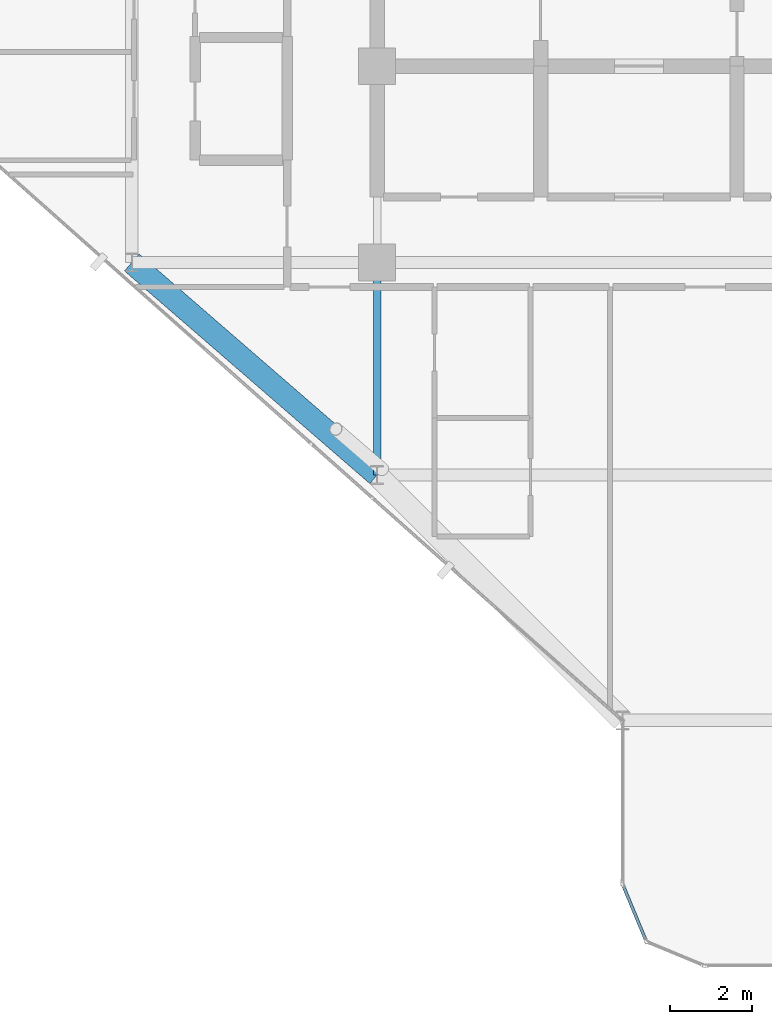
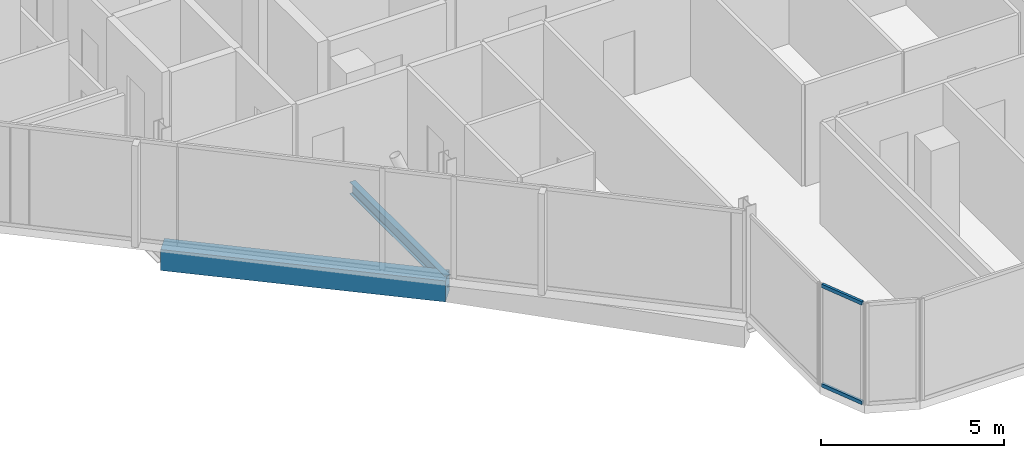
# One storey, part 5 of 29: 2 beams, 2 members, 1 element without a shape of its own.
"""IFC4 building model written with IfcOpenShell, lengths in metres."""

from ifc_helpers import new_model, si_unit, direction, frame, origin, origin_2d, place, context, subcontext, project, spatial, rectangle, hollow_rectangle, i_section, extrude, material, layer, layer_set, material_profile, profile_set, type_object, element, aggregate, save


model = new_model("IFC4")

# Units and contexts
model_context = context("Model", 3, precision=1e-05, world=origin(), true_north=direction((0.0, 1.0)))
body_context = subcontext(model_context, "Body", "Model", "MODEL_VIEW")
ifc_project = project(units=[si_unit("LENGTHUNIT", "METRE"), si_unit("AREAUNIT", "SQUARE_METRE"), si_unit("VOLUMEUNIT", "CUBIC_METRE"), si_unit("PLANEANGLEUNIT", "RADIAN"), si_unit("MASSUNIT", "GRAM", prefix="KILO")], contexts=[model_context])

# Site, building, storey
site_placement = place(None, origin())
site = spatial("IfcSite", under=ifc_project, at=site_placement, CompositionType="ELEMENT")
building_placement = place(site_placement, origin())
building = spatial("IfcBuilding", under=site, at=building_placement, Name="Keshet Zoharim Tower", CompositionType="ELEMENT")
storey_placement = place(building_placement, frame((0.0, 0.0, 172.800048828125)))
storey = spatial("IfcBuildingStorey", under=building, at=storey_placement, Name="L42", CompositionType="ELEMENT", Elevation=172.800048828125)

# Beams
ifc_material_1 = material(Name="Steel S355", Category="steel")
ifc_material_profile_1 = material_profile(ifc_material_1, i_section(OverallWidth=0.179931640625, OverallDepth=0.39990234375, WebThickness=0.008544921875, FlangeThickness=0.013427734375, FilletRadius=0.02099609375, at=origin_2d()), Name="IPE400")
ifc_profile_set_1 = profile_set([ifc_material_profile_1], Name="Steel S355")
beam_type_1 = type_object("IfcBeamType", Name="BM-PRI-IP400", PredefinedType="BEAM", material=ifc_profile_set_1)
beam_1_placement = place(storey_placement, frame((15.0, 12.699951171875, -0.510009765625), z_axis=(0.0, 1.0, 0.0), x_axis=(-1.0, 0.0, 0.0)))
element("IfcBeam", 1, at=beam_1_placement, inside=storey, type_object=beam_type_1, Name="L42 Primary Girder Y-002", PredefinedType="BEAM", context=body_context, shape_type="SweptSolid", body=[
    extrude(i_section(OverallWidth=0.179931640625, OverallDepth=0.39990234375, WebThickness=0.008544921875, FlangeThickness=0.013427734375, FilletRadius=0.02099609375, at=origin_2d()), origin(), (0.0, 0.0, 1.0), 5.199951171875),
])
ifc_material_2 = material(Name="Concrete C50/60", Category="concrete")
ifc_material_profile_2 = material_profile(ifc_material_2, rectangle(XDim=0.550048828125, YDim=0.699951171875, at=origin_2d()), Name="RC700x550")
ifc_profile_set_2 = profile_set([ifc_material_profile_2], Name="Concrete C50/60")
beam_type_2 = type_object("IfcBeamType", Name="BM-SPN-700", PredefinedType="SPANDREL", material=ifc_profile_set_2)
beam_2_placement = place(storey_placement, frame((9.0, 17.89990234375, -0.66015625), z_axis=(0.755692126483, -0.654927026447, 0.0), x_axis=(0.654927026447, 0.755692126483, 0.0)))
element("IfcBeam", 2, at=beam_2_placement, inside=storey, type_object=beam_type_2, Name="L42 Perimeter Spandrel Beam 02", PredefinedType="SPANDREL", context=body_context, shape_type="SweptSolid", body=[
    extrude(rectangle(XDim=0.550048828125, YDim=0.699951171875, at=origin_2d()), origin(), (0.0, 0.0, 1.0), 7.939697265625),
])

# Curtain wall, members
ifc_material_3 = material(Name="Aluminium 6063-T6", Category="aluminium")
ifc_layer = layer(ifc_material_3, 0.139892578125)
ifc_layer_set = layer_set([ifc_layer], Name="Aluminium 6063-T6")
curtain_wall_type = type_object("IfcCurtainWallType", Name="CW-SYS-05", PredefinedType="NOTDEFINED", material=ifc_layer_set)
curtain_wall_placement = place(storey_placement, origin())
curtain_wall = element("IfcCurtainWall", 3, at=curtain_wall_placement, inside=storey, type_object=curtain_wall_type, Name="L42 Unitised Curtain Wall 08", PredefinedType="NOTDEFINED")
ifc_material_profile_3 = material_profile(ifc_material_3, hollow_rectangle(XDim=0.074951171875, YDim=0.1201171875, WallThickness=0.00390625, at=origin_2d()), Name="TRN-75x120")
ifc_profile_set_3 = profile_set([ifc_material_profile_3], Name="Aluminium 6063-T6")
member_type = type_object("IfcMemberType", Name="CWT-T12", PredefinedType="USERDEFINED", material=ifc_profile_set_3)
member_1_placement = place(storey_placement, frame((21.55908203125, 1.3505859375, 0.034912109375), z_axis=(-0.382744609247, 0.923854189844, 0.0), x_axis=(-0.923854189844, -0.382744609247, 0.0)))
member_1 = element("IfcMember", 4, at=member_1_placement, type_object=member_type, Name="CW-05 transom 1.1", ObjectType="TRANSOM", PredefinedType="USERDEFINED", context=body_context, shape_type="SweptSolid", body=[
    extrude(hollow_rectangle(XDim=0.074951171875, YDim=0.1201171875, WallThickness=0.00390625, at=origin_2d()), origin(), (0.0, 0.0, 1.0), 1.390625),
])
member_2_placement = place(storey_placement, frame((21.55908203125, 1.3505859375, 3.35498046875), z_axis=(-0.382744609247, 0.923854189844, 0.0), x_axis=(-0.923854189844, -0.382744609247, 0.0)))
member_2 = element("IfcMember", 5, at=member_2_placement, type_object=member_type, Name="CW-05 transom 1.2", ObjectType="TRANSOM", PredefinedType="USERDEFINED", context=body_context, shape_type="SweptSolid", body=[
    extrude(hollow_rectangle(XDim=0.074951171875, YDim=0.1201171875, WallThickness=0.00390625, at=origin_2d()), origin(), (0.0, 0.0, 1.0), 1.390625),
])
aggregate(curtain_wall, [member_1, member_2])

save(model, "model.ifc")
